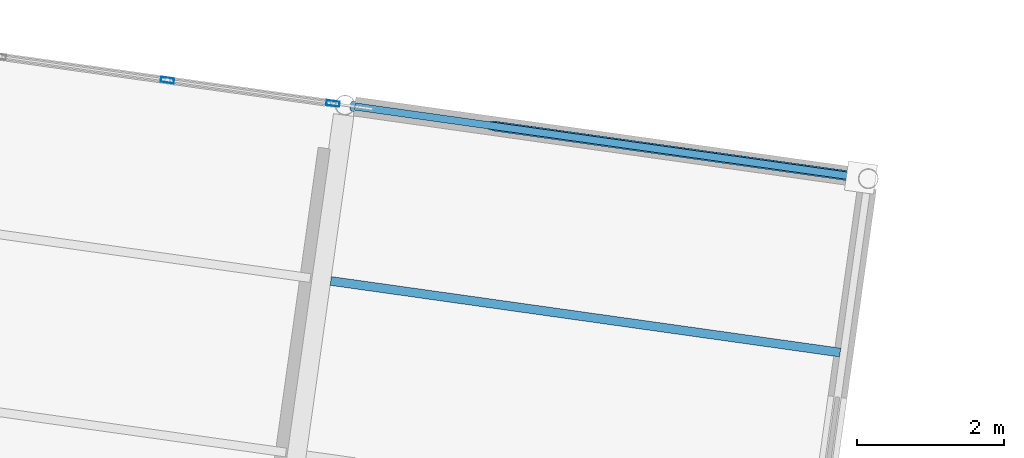
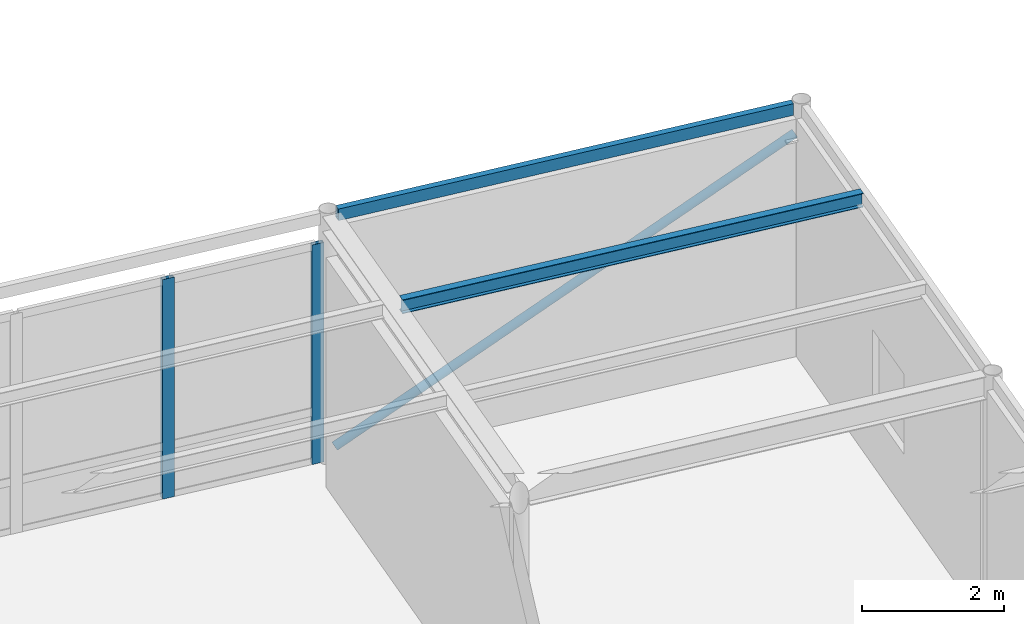
# One storey, part 31 of 67: 3 members, 2 beams, 1 element without a shape of its own.
"""IFC4 building model written with IfcOpenShell, lengths in metres."""

import ifcopenshell
import ifcopenshell.guid

model = None  # the IFC model being written
_history = None  # IfcOwnerHistory: only IFC2X3 demands one
_inside = {}  # id of a spatial element -> (the spatial element, [elements in it])
_under = {}  # id of a project, library or spatial element -> (it, [spatial elements below it])
_declared = {}  # id of a project -> (the project, [libraries it declares])
_typed = {}  # id of a type object -> (the type object, [elements of that type])
_made_of = {}  # id of a material, layer set ... -> (it, [elements and type objects made of it])


def new_model(schema):
    """Start an empty IFC model of exactly this schema.

    Asked for "IFC4X3", IfcOpenShell would pick the latest addendum, in which some entities
    have other attributes; the version numbers below select the first issue.
    IFC2X3 requires an IfcOwnerHistory on every rooted entity: one is made here for all.
    """
    global model, _history
    if schema == "IFC4X3":
        model = ifcopenshell.file(schema_version=(4, 3, 0, 0))
    else:
        model = ifcopenshell.file(schema=schema)
    _inside.clear()
    _under.clear()
    _declared.clear()
    _typed.clear()
    _made_of.clear()
    _history = None
    if model.schema == "IFC2X3":
        org = make("IfcOrganization", Name="unknown")
        user = make(
            "IfcPersonAndOrganization",
            ThePerson=make("IfcPerson", FamilyName="unknown"),
            TheOrganization=org,
        )
        app = make(
            "IfcApplication",
            ApplicationDeveloper=org,
            Version="unknown",
            ApplicationFullName="unknown",
            ApplicationIdentifier="unknown",
        )
        _history = make(
            "IfcOwnerHistory",
            OwningUser=user,
            OwningApplication=app,
            ChangeAction="ADDED",
            CreationDate=0,
        )
    return model


def make(cls, **values):
    """One entity of the class cls with the attributes given. An attribute that is None is left unset."""
    return model.create_entity(
        cls, **{name: value for name, value in values.items() if value is not None}
    )


def rooted(cls, **values):
    """An entity with a GlobalId (a new one), such as an element, a storey or a relation."""
    return make(cls, GlobalId=ifcopenshell.guid.new(), OwnerHistory=_history, **values)


def si_unit(unit_type, name, prefix=None):
    """IfcSIUnit, for example si_unit("LENGTHUNIT", "METRE", prefix="MILLI")."""
    return make("IfcSIUnit", UnitType=unit_type, Prefix=prefix, Name=name)


def assignment(units):
    """IfcUnitAssignment: the units of a project."""
    return None if units is None else make("IfcUnitAssignment", Units=units)


def point(xyz):
    """IfcCartesianPoint."""
    return None if xyz is None else make("IfcCartesianPoint", Coordinates=xyz)


def direction(xyz):
    """IfcDirection."""
    return None if xyz is None else make("IfcDirection", DirectionRatios=xyz)


def frame(location, z_axis=None, x_axis=None):
    """IfcAxis2Placement3D, a coordinate frame: its origin and axes. An axis left out is left unset."""
    return make(
        "IfcAxis2Placement3D",
        Location=point(location),
        Axis=direction(z_axis),
        RefDirection=direction(x_axis),
    )


def frame_2d(location, x_axis=None):
    """IfcAxis2Placement2D, a coordinate frame in the plane: its origin and x axis."""
    return make(
        "IfcAxis2Placement2D", Location=point(location), RefDirection=direction(x_axis)
    )


def origin():
    """The frame at (0, 0, 0) with its axes left unset."""
    return frame((0.0, 0.0, 0.0))


def origin_2d():
    """The frame at (0, 0) in the plane with its x axis left unset."""
    return frame_2d((0.0, 0.0))


def place(relative_to, where):
    """IfcLocalPlacement: puts the frame where relative to a parent placement (None: the world)."""
    return make(
        "IfcLocalPlacement", PlacementRelTo=relative_to, RelativePlacement=where
    )


def context(
    kind, dimensions, precision=None, world=None, true_north=None, identifier=None
):
    """IfcGeometricRepresentationContext, for example the 3D "Model" context."""
    return make(
        "IfcGeometricRepresentationContext",
        ContextIdentifier=identifier,
        ContextType=kind,
        CoordinateSpaceDimension=dimensions,
        Precision=precision,
        WorldCoordinateSystem=world,
        TrueNorth=true_north,
    )


def subcontext(parent, identifier, kind, view, scale=None):
    """IfcGeometricRepresentationSubContext, for example "Body" below "Model"."""
    return make(
        "IfcGeometricRepresentationSubContext",
        ContextIdentifier=identifier,
        ContextType=kind,
        ParentContext=parent,
        TargetScale=scale,
        TargetView=view,
    )


def project(units=None, contexts=None):
    """IfcProject with its units and contexts."""
    return rooted(
        "IfcProject",
        Name="project",
        RepresentationContexts=contexts,
        UnitsInContext=assignment(units),
    )


def spatial(cls, under=None, at=None, **own):
    """A site, building, storey or space (cls), placed at a placement, below another one or the project."""
    s = rooted(cls, ObjectPlacement=at, **own)
    if under is not None:
        _under.setdefault(under.id(), (under, []))[1].append(s)
    return s


def profile(cls, at=None, kind="AREA", **sizes):
    """A parametric profile (cls). Its sizes go by their IFC names, for example OverallWidth=200.0."""
    return make(cls, ProfileType=kind, Position=at, **sizes)


def hollow_rectangle(**sizes):
    """IfcRectangleHollowProfileDef."""
    return profile("IfcRectangleHollowProfileDef", **sizes)


def hollow_circle(**sizes):
    """IfcCircleHollowProfileDef."""
    return profile("IfcCircleHollowProfileDef", **sizes)


def i_section(**sizes):
    """IfcIShapeProfileDef."""
    return profile("IfcIShapeProfileDef", **sizes)


def extrude(swept, where, along, depth):
    """IfcExtrudedAreaSolid: the profile swept, set in the frame where, extruded along a direction by depth."""
    return make(
        "IfcExtrudedAreaSolid",
        SweptArea=swept,
        Position=where,
        ExtrudedDirection=direction(along),
        Depth=depth,
    )


def shape(context_of_items, identifier, shape_type, items):
    """IfcShapeRepresentation: the items that make up one representation, for example the "Body"."""
    return make(
        "IfcShapeRepresentation",
        ContextOfItems=context_of_items,
        RepresentationIdentifier=identifier,
        RepresentationType=shape_type,
        Items=items,
    )


def material(Name=None, Category=None):
    """IfcMaterial."""
    return make("IfcMaterial", Name=Name, Category=Category)


def layer(
    of_material, thickness, ventilated=None, Name=None, Category=None, Priority=None
):
    """IfcMaterialLayer: one layer of a wall or slab, of a material (None: an air gap)."""
    return make(
        "IfcMaterialLayer",
        Material=of_material,
        LayerThickness=thickness,
        IsVentilated=ventilated,
        Name=Name,
        Category=Category,
        Priority=Priority,
    )


def layer_set(layers, Name=None):
    """IfcMaterialLayerSet."""
    return make("IfcMaterialLayerSet", MaterialLayers=layers, LayerSetName=Name)


def material_profile(
    of_material, cross_section, Name=None, Category=None, Priority=None
):
    """IfcMaterialProfile: a cross section and its material."""
    return make(
        "IfcMaterialProfile",
        Name=Name,
        Material=of_material,
        Profile=cross_section,
        Priority=Priority,
        Category=Category,
    )


def profile_set(profiles, Name=None, composite=None):
    """IfcMaterialProfileSet."""
    return make(
        "IfcMaterialProfileSet",
        Name=Name,
        MaterialProfiles=profiles,
        CompositeProfile=composite,
    )


def made_of(thing, what):
    """Note that an element or type object is made of a material, layer set ...; save() writes the relation."""
    if what is not None:
        _made_of.setdefault(what.id(), (what, []))[1].append(thing)
    return thing


def type_object(cls, material=None, **own):
    """A type object (cls), such as IfcWallType, which elements share."""
    return made_of(rooted(cls, **own), material)


def element(
    cls,
    number,
    at=None,
    inside=None,
    cuts=None,
    type_object=None,
    material=None,
    context=None,
    identifier="Body",
    shape_type=None,
    held_by="IfcProductDefinitionShape",
    body=None,
    shapes=None,
    **own,
):
    """One element of the class cls, such as IfcWall. Its Tag is "e" and its number.

    at: its placement. inside: the storey or other place that contains it. cuts: it is an
    opening in that element (IfcRelVoidsElement). A single representation is given by context,
    identifier, shape_type and body (its items); several are given by shapes. held_by: the class
    of the entity that holds the representations. save() writes the other relations.
    """
    e = rooted(cls, Tag="e%d" % number, ObjectPlacement=at, **own)
    if body is not None:
        shapes = [shape(context, identifier, shape_type, body)]
    if shapes is not None:
        e.Representation = make(held_by, Representations=shapes)
    if inside is not None:
        _inside.setdefault(inside.id(), (inside, []))[1].append(e)
    if cuts is not None:
        rooted(
            "IfcRelVoidsElement", RelatingBuildingElement=cuts, RelatedOpeningElement=e
        )
    if type_object is not None:
        _typed.setdefault(type_object.id(), (type_object, []))[1].append(e)
    return made_of(e, material)


def aggregate(whole, parts):
    """IfcRelAggregates: a whole, such as a stair, and the parts it consists of."""
    return rooted("IfcRelAggregates", RelatingObject=whole, RelatedObjects=parts)


def save(model, path):
    """Write the relations noted so far, then the file.

    IfcRelAggregates (storeys below a building ...), IfcRelContainedInSpatialStructure (elements
    in a storey), IfcRelDefinesByType, IfcRelAssociatesMaterial and IfcRelDeclares: one each for
    every whole, place, type object, material and project.
    """
    for whole, parts in _under.values():
        aggregate(whole, parts)
    for where, things in _inside.values():
        rooted(
            "IfcRelContainedInSpatialStructure",
            RelatedElements=things,
            RelatingStructure=where,
        )
    for kind, things in _typed.values():
        rooted("IfcRelDefinesByType", RelatedObjects=things, RelatingType=kind)
    for what, things in _made_of.values():
        rooted("IfcRelAssociatesMaterial", RelatedObjects=things, RelatingMaterial=what)
    for by, libraries in _declared.values():
        rooted("IfcRelDeclares", RelatingContext=by, RelatedDefinitions=libraries)
    model.write(path)


model = new_model("IFC4")

# Units and contexts
model_context = context("Model", 3, precision=1e-05, world=origin(), true_north=direction((0.0, 1.0)))
body_context = subcontext(model_context, "Body", "Model", "MODEL_VIEW")
ifc_project = project(units=[si_unit("LENGTHUNIT", "METRE"), si_unit("AREAUNIT", "SQUARE_METRE"), si_unit("VOLUMEUNIT", "CUBIC_METRE"), si_unit("PLANEANGLEUNIT", "RADIAN"), si_unit("MASSUNIT", "GRAM", prefix="KILO")], contexts=[model_context])

# Site, building, storey
site_placement = place(None, origin())
site = spatial("IfcSite", under=ifc_project, at=site_placement, CompositionType="ELEMENT")
building_placement = place(site_placement, origin())
building = spatial("IfcBuilding", under=site, at=building_placement, Name="Kharisveld Research Institute", CompositionType="ELEMENT")
storey_placement = place(building_placement, frame((0.0, 0.0, 9.60009765625)))
storey = spatial("IfcBuildingStorey", under=building, at=storey_placement, Name="L02", CompositionType="ELEMENT", Elevation=9.60009765625)

# Member
ifc_material_1 = material(Name="Steel S355J2H", Category="steel")
ifc_material_profile_1 = material_profile(ifc_material_1, hollow_circle(Radius=0.06982421875, WallThickness=0.00634765625, at=origin_2d()))
ifc_profile_set_1 = profile_set([ifc_material_profile_1], Name="Steel S355J2H")
member_type_1 = type_object("IfcMemberType", Name="BR_CHS140", PredefinedType="BRACE", material=ifc_profile_set_1)
member_1_placement = place(storey_placement, frame((99.494873046875, 35.86962890625, 0.199951171875), z_axis=(0.882935353603, -0.124076781632, 0.452802510612), x_axis=(0.139160243851, 0.990269875605, 0.0)))
element("IfcMember", 1, at=member_1_placement, inside=storey, type_object=member_type_1, Name="MEM:V4:L02:BR_3_3", PredefinedType="BRACE", context=body_context, shape_type="SweptSolid", body=[
    extrude(hollow_circle(Radius=0.06982421875, WallThickness=0.00634765625, at=origin_2d()), origin(), (0.0, 0.0, 1.0), 7.85107421875),
])

# Curtain wall, members
ifc_material_2 = material(Name="Thermally Broken Aluminium Curtain Wall", Category="aluminium")
ifc_layer = layer(ifc_material_2, 0.159912109375)
ifc_layer_set = layer_set([ifc_layer], Name="CW_SYS_06")
curtain_wall_type = type_object("IfcCurtainWallType", Name="CW_SYS_06", PredefinedType="NOTDEFINED", material=ifc_layer_set)
curtain_wall_placement = place(storey_placement, origin())
curtain_wall = element("IfcCurtainWall", 2, at=curtain_wall_placement, inside=storey, type_object=curtain_wall_type, Name="CW:V4:L02:N2", PredefinedType="NOTDEFINED")
ifc_material_3 = material(Name="Anodised Aluminium AW-6063-T6", Category="aluminium")
ifc_material_profile_2 = material_profile(ifc_material_3, hollow_rectangle(XDim=0.070068359375, YDim=0.179931640625, WallThickness=0.00439453125, at=origin_2d()))
ifc_profile_set_2 = profile_set([ifc_material_profile_2], Name="Anodised Aluminium AW-6063-T6")
member_type_2 = type_object("IfcMemberType", Name="CW_MUL_180", PredefinedType="MULLION", material=ifc_profile_set_2)
member_2_placement = place(storey_placement, frame((96.975830078125, 36.223876953125, 0.0), z_axis=(0.0, 0.0, 1.0), x_axis=(0.139173262318, 0.990268046064, 0.0)))
member_2 = element("IfcMember", 3, at=member_2_placement, type_object=member_type_2, Name="CW-06 mullion 3", PredefinedType="MULLION", context=body_context, shape_type="SweptSolid", body=[
    extrude(hollow_rectangle(XDim=0.070068359375, YDim=0.179931640625, WallThickness=0.00439453125, at=origin_2d()), origin(), (0.0, 0.0, 1.0), 3.77978515625),
])
member_3_placement = place(storey_placement, frame((99.23095703125, 35.90673828125, 0.0), z_axis=(0.0, 0.0, 1.0), x_axis=(0.139173262318, 0.990268046064, 0.0)))
member_3 = element("IfcMember", 4, at=member_3_placement, type_object=member_type_2, Name="CW-06 mullion 4", PredefinedType="MULLION", context=body_context, shape_type="SweptSolid", body=[
    extrude(hollow_rectangle(XDim=0.070068359375, YDim=0.179931640625, WallThickness=0.00439453125, at=origin_2d()), origin(), (0.0, 0.0, 1.0), 3.77978515625),
])
aggregate(curtain_wall, [member_2, member_3])

# Beams
ifc_material_4 = material(Name="Steel S355JR", Category="steel")
ifc_material_profile_3 = material_profile(ifc_material_4, i_section(OverallWidth=0.1201171875, OverallDepth=0.239990234375, WebThickness=0.006103515625, FlangeThickness=0.009765625, at=origin_2d()))
ifc_profile_set_3 = profile_set([ifc_material_profile_3], Name="Steel S355JR")
beam_type_1 = type_object("IfcBeamType", Name="JS_ST_IPE240", PredefinedType="JOIST", material=ifc_profile_set_3)
beam_1_placement = place(storey_placement, frame((99.200439453125, 33.487548828125, 4.184814453125), z_axis=(0.990268731554, -0.139168384726, 0.0), x_axis=(0.139168384726, 0.990268731554, 0.0)))
element("IfcBeam", 5, at=beam_1_placement, inside=storey, type_object=beam_type_1, Name="BM:V4:L02:J_3_2_R2", PredefinedType="JOIST", context=body_context, shape_type="SweptSolid", body=[
    extrude(i_section(OverallWidth=0.1201171875, OverallDepth=0.239990234375, WebThickness=0.006103515625, FlangeThickness=0.009765625, at=origin_2d()), origin(), (0.0, 0.0, 1.0), 7.010009765625),
])
ifc_material_5 = material(Name="Steel S355J2H", Category="steel")
ifc_material_profile_4 = material_profile(ifc_material_5, hollow_rectangle(XDim=0.10009765625, YDim=0.199951171875, WallThickness=0.008056640625, at=origin_2d()))
ifc_profile_set_4 = profile_set([ifc_material_profile_4], Name="Steel S355J2H")
beam_type_2 = type_object("IfcBeamType", Name="SP_ST_RHS200", PredefinedType="SPANDREL", material=ifc_profile_set_4)
beam_2_placement = place(storey_placement, frame((99.531005859375, 35.86474609375, 4.204833984375), z_axis=(0.990266979849, -0.139180848611, 0.0), x_axis=(0.139180848611, 0.990266979849, 0.0)))
element("IfcBeam", 6, at=beam_2_placement, inside=storey, type_object=beam_type_2, Name="BM:V4:L02:U3_3", PredefinedType="SPANDREL", context=body_context, shape_type="SweptSolid", body=[
    extrude(hollow_rectangle(XDim=0.10009765625, YDim=0.199951171875, WallThickness=0.008056640625, at=origin_2d()), origin(), (0.0, 0.0, 1.0), 6.927001953125),
])

save(model, "model.ifc")
